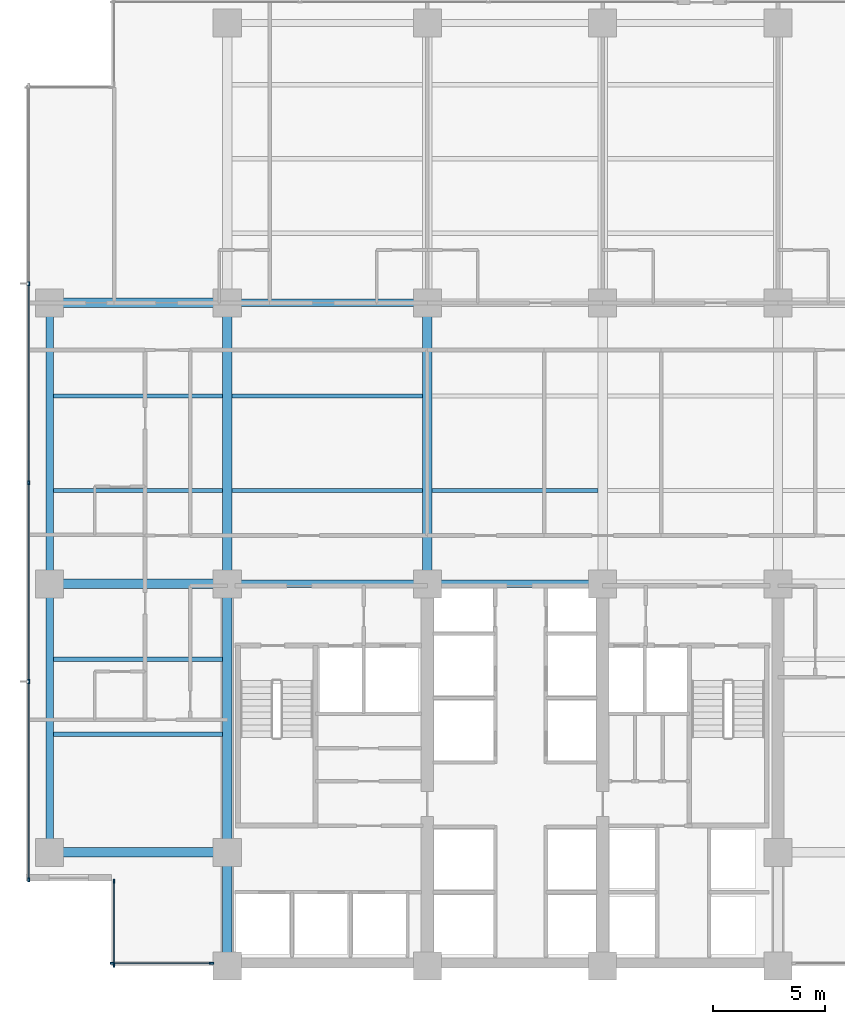
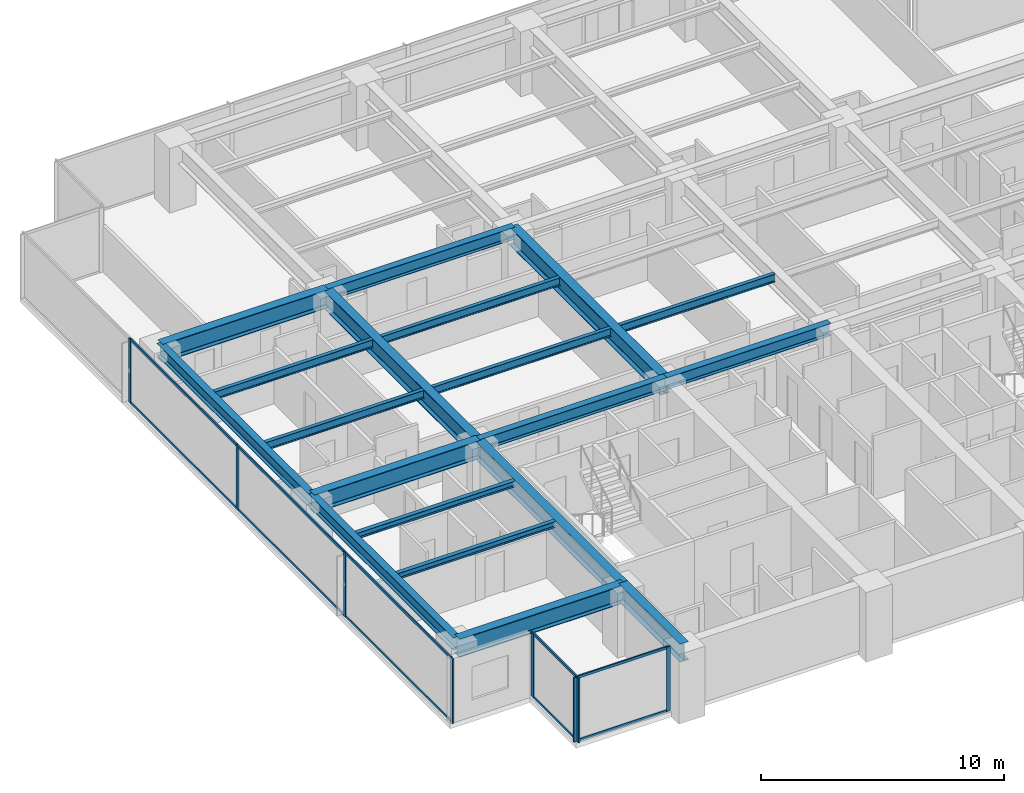
# One storey, part 2 of 17: 19 beams, 18 members, 3 elements without a shape of their own.
"""IFC4 building model written with IfcOpenShell, lengths in metres."""

import ifcopenshell
import ifcopenshell.guid

model = None  # the IFC model being written
_history = None  # IfcOwnerHistory: only IFC2X3 demands one
_inside = {}  # id of a spatial element -> (the spatial element, [elements in it])
_under = {}  # id of a project, library or spatial element -> (it, [spatial elements below it])
_declared = {}  # id of a project -> (the project, [libraries it declares])
_typed = {}  # id of a type object -> (the type object, [elements of that type])
_made_of = {}  # id of a material, layer set ... -> (it, [elements and type objects made of it])


def new_model(schema):
    """Start an empty IFC model of exactly this schema.

    Asked for "IFC4X3", IfcOpenShell would pick the latest addendum, in which some entities
    have other attributes; the version numbers below select the first issue.
    IFC2X3 requires an IfcOwnerHistory on every rooted entity: one is made here for all.
    """
    global model, _history
    if schema == "IFC4X3":
        model = ifcopenshell.file(schema_version=(4, 3, 0, 0))
    else:
        model = ifcopenshell.file(schema=schema)
    _inside.clear()
    _under.clear()
    _declared.clear()
    _typed.clear()
    _made_of.clear()
    _history = None
    if model.schema == "IFC2X3":
        org = make("IfcOrganization", Name="unknown")
        user = make(
            "IfcPersonAndOrganization",
            ThePerson=make("IfcPerson", FamilyName="unknown"),
            TheOrganization=org,
        )
        app = make(
            "IfcApplication",
            ApplicationDeveloper=org,
            Version="unknown",
            ApplicationFullName="unknown",
            ApplicationIdentifier="unknown",
        )
        _history = make(
            "IfcOwnerHistory",
            OwningUser=user,
            OwningApplication=app,
            ChangeAction="ADDED",
            CreationDate=0,
        )
    return model


def make(cls, **values):
    """One entity of the class cls with the attributes given. An attribute that is None is left unset."""
    return model.create_entity(
        cls, **{name: value for name, value in values.items() if value is not None}
    )


def rooted(cls, **values):
    """An entity with a GlobalId (a new one), such as an element, a storey or a relation."""
    return make(cls, GlobalId=ifcopenshell.guid.new(), OwnerHistory=_history, **values)


def si_unit(unit_type, name, prefix=None):
    """IfcSIUnit, for example si_unit("LENGTHUNIT", "METRE", prefix="MILLI")."""
    return make("IfcSIUnit", UnitType=unit_type, Prefix=prefix, Name=name)


def assignment(units):
    """IfcUnitAssignment: the units of a project."""
    return None if units is None else make("IfcUnitAssignment", Units=units)


def point(xyz):
    """IfcCartesianPoint."""
    return None if xyz is None else make("IfcCartesianPoint", Coordinates=xyz)


def direction(xyz):
    """IfcDirection."""
    return None if xyz is None else make("IfcDirection", DirectionRatios=xyz)


def frame(location, z_axis=None, x_axis=None):
    """IfcAxis2Placement3D, a coordinate frame: its origin and axes. An axis left out is left unset."""
    return make(
        "IfcAxis2Placement3D",
        Location=point(location),
        Axis=direction(z_axis),
        RefDirection=direction(x_axis),
    )


def frame_2d(location, x_axis=None):
    """IfcAxis2Placement2D, a coordinate frame in the plane: its origin and x axis."""
    return make(
        "IfcAxis2Placement2D", Location=point(location), RefDirection=direction(x_axis)
    )


def origin():
    """The frame at (0, 0, 0) with its axes left unset."""
    return frame((0.0, 0.0, 0.0))


def origin_2d():
    """The frame at (0, 0) in the plane with its x axis left unset."""
    return frame_2d((0.0, 0.0))


def place(relative_to, where):
    """IfcLocalPlacement: puts the frame where relative to a parent placement (None: the world)."""
    return make(
        "IfcLocalPlacement", PlacementRelTo=relative_to, RelativePlacement=where
    )


def context(
    kind, dimensions, precision=None, world=None, true_north=None, identifier=None
):
    """IfcGeometricRepresentationContext, for example the 3D "Model" context."""
    return make(
        "IfcGeometricRepresentationContext",
        ContextIdentifier=identifier,
        ContextType=kind,
        CoordinateSpaceDimension=dimensions,
        Precision=precision,
        WorldCoordinateSystem=world,
        TrueNorth=true_north,
    )


def subcontext(parent, identifier, kind, view, scale=None):
    """IfcGeometricRepresentationSubContext, for example "Body" below "Model"."""
    return make(
        "IfcGeometricRepresentationSubContext",
        ContextIdentifier=identifier,
        ContextType=kind,
        ParentContext=parent,
        TargetScale=scale,
        TargetView=view,
    )


def project(units=None, contexts=None):
    """IfcProject with its units and contexts."""
    return rooted(
        "IfcProject",
        Name="project",
        RepresentationContexts=contexts,
        UnitsInContext=assignment(units),
    )


def spatial(cls, under=None, at=None, **own):
    """A site, building, storey or space (cls), placed at a placement, below another one or the project."""
    s = rooted(cls, ObjectPlacement=at, **own)
    if under is not None:
        _under.setdefault(under.id(), (under, []))[1].append(s)
    return s


def profile(cls, at=None, kind="AREA", **sizes):
    """A parametric profile (cls). Its sizes go by their IFC names, for example OverallWidth=200.0."""
    return make(cls, ProfileType=kind, Position=at, **sizes)


def rectangle(**sizes):
    """IfcRectangleProfileDef."""
    return profile("IfcRectangleProfileDef", **sizes)


def i_section(**sizes):
    """IfcIShapeProfileDef."""
    return profile("IfcIShapeProfileDef", **sizes)


def extrude(swept, where, along, depth):
    """IfcExtrudedAreaSolid: the profile swept, set in the frame where, extruded along a direction by depth."""
    return make(
        "IfcExtrudedAreaSolid",
        SweptArea=swept,
        Position=where,
        ExtrudedDirection=direction(along),
        Depth=depth,
    )


def shape(context_of_items, identifier, shape_type, items):
    """IfcShapeRepresentation: the items that make up one representation, for example the "Body"."""
    return make(
        "IfcShapeRepresentation",
        ContextOfItems=context_of_items,
        RepresentationIdentifier=identifier,
        RepresentationType=shape_type,
        Items=items,
    )


def material(Name=None, Category=None):
    """IfcMaterial."""
    return make("IfcMaterial", Name=Name, Category=Category)


def layer(
    of_material, thickness, ventilated=None, Name=None, Category=None, Priority=None
):
    """IfcMaterialLayer: one layer of a wall or slab, of a material (None: an air gap)."""
    return make(
        "IfcMaterialLayer",
        Material=of_material,
        LayerThickness=thickness,
        IsVentilated=ventilated,
        Name=Name,
        Category=Category,
        Priority=Priority,
    )


def layer_set(layers, Name=None):
    """IfcMaterialLayerSet."""
    return make("IfcMaterialLayerSet", MaterialLayers=layers, LayerSetName=Name)


def material_profile(
    of_material, cross_section, Name=None, Category=None, Priority=None
):
    """IfcMaterialProfile: a cross section and its material."""
    return make(
        "IfcMaterialProfile",
        Name=Name,
        Material=of_material,
        Profile=cross_section,
        Priority=Priority,
        Category=Category,
    )


def profile_set(profiles, Name=None, composite=None):
    """IfcMaterialProfileSet."""
    return make(
        "IfcMaterialProfileSet",
        Name=Name,
        MaterialProfiles=profiles,
        CompositeProfile=composite,
    )


def made_of(thing, what):
    """Note that an element or type object is made of a material, layer set ...; save() writes the relation."""
    if what is not None:
        _made_of.setdefault(what.id(), (what, []))[1].append(thing)
    return thing


def type_object(cls, material=None, **own):
    """A type object (cls), such as IfcWallType, which elements share."""
    return made_of(rooted(cls, **own), material)


def element(
    cls,
    number,
    at=None,
    inside=None,
    cuts=None,
    type_object=None,
    material=None,
    context=None,
    identifier="Body",
    shape_type=None,
    held_by="IfcProductDefinitionShape",
    body=None,
    shapes=None,
    **own,
):
    """One element of the class cls, such as IfcWall. Its Tag is "e" and its number.

    at: its placement. inside: the storey or other place that contains it. cuts: it is an
    opening in that element (IfcRelVoidsElement). A single representation is given by context,
    identifier, shape_type and body (its items); several are given by shapes. held_by: the class
    of the entity that holds the representations. save() writes the other relations.
    """
    e = rooted(cls, Tag="e%d" % number, ObjectPlacement=at, **own)
    if body is not None:
        shapes = [shape(context, identifier, shape_type, body)]
    if shapes is not None:
        e.Representation = make(held_by, Representations=shapes)
    if inside is not None:
        _inside.setdefault(inside.id(), (inside, []))[1].append(e)
    if cuts is not None:
        rooted(
            "IfcRelVoidsElement", RelatingBuildingElement=cuts, RelatedOpeningElement=e
        )
    if type_object is not None:
        _typed.setdefault(type_object.id(), (type_object, []))[1].append(e)
    return made_of(e, material)


def aggregate(whole, parts):
    """IfcRelAggregates: a whole, such as a stair, and the parts it consists of."""
    return rooted("IfcRelAggregates", RelatingObject=whole, RelatedObjects=parts)


def save(model, path):
    """Write the relations noted so far, then the file.

    IfcRelAggregates (storeys below a building ...), IfcRelContainedInSpatialStructure (elements
    in a storey), IfcRelDefinesByType, IfcRelAssociatesMaterial and IfcRelDeclares: one each for
    every whole, place, type object, material and project.
    """
    for whole, parts in _under.values():
        aggregate(whole, parts)
    for where, things in _inside.values():
        rooted(
            "IfcRelContainedInSpatialStructure",
            RelatedElements=things,
            RelatingStructure=where,
        )
    for kind, things in _typed.values():
        rooted("IfcRelDefinesByType", RelatedObjects=things, RelatingType=kind)
    for what, things in _made_of.values():
        rooted("IfcRelAssociatesMaterial", RelatedObjects=things, RelatingMaterial=what)
    for by, libraries in _declared.values():
        rooted("IfcRelDeclares", RelatingContext=by, RelatedDefinitions=libraries)
    model.write(path)


model = new_model("IFC4")

# Units and contexts
model_context = context("Model", 3, precision=1e-05, world=origin(), true_north=direction((0.0, 1.0)))
body_context = subcontext(model_context, "Body", "Model", "MODEL_VIEW")
ifc_project = project(units=[si_unit("LENGTHUNIT", "METRE"), si_unit("AREAUNIT", "SQUARE_METRE"), si_unit("VOLUMEUNIT", "CUBIC_METRE"), si_unit("PLANEANGLEUNIT", "RADIAN"), si_unit("MASSUNIT", "GRAM", prefix="KILO")], contexts=[model_context])

# Site, building, storey
site_placement = place(None, origin())
site = spatial("IfcSite", under=ifc_project, at=site_placement, CompositionType="ELEMENT")
building_placement = place(site_placement, origin())
building = spatial("IfcBuilding", under=site, at=building_placement, Name="Qalmaran Belvedere Hotel", CompositionType="ELEMENT")
storey_placement = place(building_placement, frame((0.0, 0.0, 88.199951171875)))
storey = spatial("IfcBuildingStorey", under=building, at=storey_placement, Name="L21", CompositionType="ELEMENT", Elevation=88.199951171875)

# Beams
ifc_material_1 = material(Name="Steel S355JR", Category="steel")
ifc_material_profile_1 = material_profile(ifc_material_1, i_section(OverallWidth=0.202880859375, OverallDepth=0.302978515625, WebThickness=0.007568359375, FlangeThickness=0.01318359375, FilletRadius=0.012939453125, at=origin_2d()), Name="W310X60")
ifc_profile_set_1 = profile_set([ifc_material_profile_1], Name="Steel S355JR")
beam_type_1 = type_object("IfcBeamType", Name="BM-JST-W310X60", PredefinedType="JOIST", material=ifc_profile_set_1)
for number, where, z_axis, x_axis, name in (
    (1, (12.5615234375, 13.800048828125, 3.088623046875), (1.0, 0.0, 0.0), (0.0, 1.0, 0.0), "L21 West Wing Joist 038"),
    (2, (12.5615234375, 17.14990234375, 3.088623046875), (1.0, 0.0, 0.0), (0.0, 1.0, 0.0), "L21 West Wing Joist 040"),
):
    element("IfcBeam", number, at=place(storey_placement, frame(where, z_axis=z_axis, x_axis=x_axis)), inside=storey, type_object=beam_type_1, Name=name, PredefinedType="JOIST", context=body_context, shape_type="SweptSolid", body=[
        extrude(i_section(OverallWidth=0.202880859375, OverallDepth=0.302978515625, WebThickness=0.007568359375, FlangeThickness=0.01318359375, FilletRadius=0.012939453125, at=origin_2d()), origin(), (0.0, 0.0, 1.0), 7.531494140625),
    ])
ifc_material_profile_2 = material_profile(ifc_material_1, i_section(OverallWidth=0.41796875, OverallDepth=0.912109375, WebThickness=0.019287109375, FlangeThickness=0.031982421875, FilletRadius=0.02392578125, at=origin_2d()), Name="W920X342")
ifc_profile_set_2 = profile_set([ifc_material_profile_2], Name="Steel S355JR")
beam_type_2 = type_object("IfcBeamType", Name="BM-PG2-W920X342", PredefinedType="USERDEFINED", material=ifc_profile_set_2)
for number, where, z_axis, x_axis, name in (
    (3, (20.300048828125, 20.5, 2.783935546875), (0.0, 1.0, 0.0), (-1.0, 0.0, 0.0), "L21 Mid-Plate N-S Girder 14"),
    (4, (29.199951171875, 20.5, 2.783935546875), (0.0, 1.0, 0.0), (-1.0, 0.0, 0.0), "L21 Mid-Plate N-S Girder 16"),
):
    element("IfcBeam", number, at=place(storey_placement, frame(where, z_axis=z_axis, x_axis=x_axis)), inside=storey, type_object=beam_type_2, Name=name, ObjectType="GIRDER", PredefinedType="USERDEFINED", context=body_context, shape_type="SweptSolid", body=[
        extrude(i_section(OverallWidth=0.41796875, OverallDepth=0.912109375, WebThickness=0.019287109375, FlangeThickness=0.031982421875, FilletRadius=0.02392578125, at=origin_2d()), origin(), (0.0, 0.0, 1.0), 12.5),
    ])
for number, where, z_axis, x_axis, name in (
    (5, (12.39990234375, 8.550048828125, 2.783935546875), (1.0, 0.0, 0.0), (0.0, 1.0, 0.0), "L21 West Wing Girder 22"),
    (6, (12.39990234375, 20.5, 2.783935546875), (1.0, 0.0, 0.0), (0.0, 1.0, 0.0), "L21 West Wing Girder 23"),
    (7, (12.39990234375, 33.0, 2.783935546875), (1.0, 0.0, 0.0), (0.0, 1.0, 0.0), "L21 West Wing Girder 24"),
):
    element("IfcBeam", number, at=place(storey_placement, frame(where, z_axis=z_axis, x_axis=x_axis)), inside=storey, type_object=beam_type_2, Name=name, ObjectType="GIRDER", PredefinedType="USERDEFINED", context=body_context, shape_type="SweptSolid", body=[
        extrude(i_section(OverallWidth=0.41796875, OverallDepth=0.912109375, WebThickness=0.019287109375, FlangeThickness=0.031982421875, FilletRadius=0.02392578125, at=origin_2d()), origin(), (0.0, 0.0, 1.0), 7.900146484375),
    ])
beam_1_placement = place(storey_placement, frame((20.300048828125, 3.5, 2.783935546875), z_axis=(0.0, 1.0, 0.0), x_axis=(-1.0, 0.0, 0.0)))
element("IfcBeam", 8, at=beam_1_placement, inside=storey, type_object=beam_type_2, Name="L21 West Core Edge Girder A", ObjectType="GIRDER", PredefinedType="USERDEFINED", context=body_context, shape_type="SweptSolid", body=[
    extrude(i_section(OverallWidth=0.41796875, OverallDepth=0.912109375, WebThickness=0.019287109375, FlangeThickness=0.031982421875, FilletRadius=0.02392578125, at=origin_2d()), origin(), (0.0, 0.0, 1.0), 5.050048828125),
])
beam_2_placement = place(storey_placement, frame((20.300048828125, 8.550048828125, 2.783935546875), z_axis=(0.0, 1.0, 0.0), x_axis=(-1.0, 0.0, 0.0)))
element("IfcBeam", 9, at=beam_2_placement, inside=storey, type_object=beam_type_2, Name="L21 West Core Edge Girder B", ObjectType="GIRDER", PredefinedType="USERDEFINED", context=body_context, shape_type="SweptSolid", body=[
    extrude(i_section(OverallWidth=0.41796875, OverallDepth=0.912109375, WebThickness=0.019287109375, FlangeThickness=0.031982421875, FilletRadius=0.02392578125, at=origin_2d()), origin(), (0.0, 0.0, 1.0), 11.949951171875),
])
ifc_material_profile_3 = material_profile(ifc_material_1, i_section(OverallWidth=0.177978515625, OverallDepth=0.406982421875, WebThickness=0.0078125, FlangeThickness=0.0126953125, FilletRadius=0.014892578125, at=origin_2d()), Name="W410X60")
ifc_profile_set_3 = profile_set([ifc_material_profile_3], Name="Steel S355JR")
beam_type_3 = type_object("IfcBeamType", Name="BM-SB2-W410X60", PredefinedType="BEAM", material=ifc_profile_set_3)
beam_3_placement = place(storey_placement, frame((12.5615234375, 24.64990234375, 3.03662109375), z_axis=(1.0, 0.0, 0.0), x_axis=(0.0, 1.0, 0.0)))
element("IfcBeam", 10, at=beam_3_placement, inside=storey, type_object=beam_type_3, Name="L21 West Secondary Beam 028", PredefinedType="BEAM", context=body_context, shape_type="SweptSolid", body=[
    extrude(i_section(OverallWidth=0.177978515625, OverallDepth=0.406982421875, WebThickness=0.0078125, FlangeThickness=0.0126953125, FilletRadius=0.014892578125, at=origin_2d()), origin(), (0.0, 0.0, 1.0), 7.531494140625),
])
beam_4_placement = place(storey_placement, frame((20.507080078125, 24.64990234375, 3.03662109375), z_axis=(1.0, 0.0, 0.0), x_axis=(0.0, 1.0, 0.0)))
element("IfcBeam", 11, at=beam_4_placement, inside=storey, type_object=beam_type_3, Name="L21 Secondary Floor Beam 029", PredefinedType="BEAM", context=body_context, shape_type="SweptSolid", body=[
    extrude(i_section(OverallWidth=0.177978515625, OverallDepth=0.406982421875, WebThickness=0.0078125, FlangeThickness=0.0126953125, FilletRadius=0.014892578125, at=origin_2d()), origin(), (0.0, 0.0, 1.0), 8.48583984375),
])
beam_5_placement = place(storey_placement, frame((29.406982421875, 24.64990234375, 3.03662109375), z_axis=(1.0, 0.0, 0.0), x_axis=(0.0, 1.0, 0.0)))
element("IfcBeam", 12, at=beam_5_placement, inside=storey, type_object=beam_type_3, Name="L21 Secondary Floor Beam 030", PredefinedType="BEAM", context=body_context, shape_type="SweptSolid", body=[
    extrude(i_section(OverallWidth=0.177978515625, OverallDepth=0.406982421875, WebThickness=0.0078125, FlangeThickness=0.0126953125, FilletRadius=0.014892578125, at=origin_2d()), origin(), (0.0, 0.0, 1.0), 7.385986328125),
])
beam_6_placement = place(storey_placement, frame((12.5615234375, 28.85009765625, 3.03662109375), z_axis=(1.0, 0.0, 0.0), x_axis=(0.0, 1.0, 0.0)))
element("IfcBeam", 13, at=beam_6_placement, inside=storey, type_object=beam_type_3, Name="L21 West Secondary Beam 033", PredefinedType="BEAM", context=body_context, shape_type="SweptSolid", body=[
    extrude(i_section(OverallWidth=0.177978515625, OverallDepth=0.406982421875, WebThickness=0.0078125, FlangeThickness=0.0126953125, FilletRadius=0.014892578125, at=origin_2d()), origin(), (0.0, 0.0, 1.0), 7.531494140625),
])
beam_7_placement = place(storey_placement, frame((20.507080078125, 28.85009765625, 3.03662109375), z_axis=(1.0, 0.0, 0.0), x_axis=(0.0, 1.0, 0.0)))
element("IfcBeam", 14, at=beam_7_placement, inside=storey, type_object=beam_type_3, Name="L21 Secondary Floor Beam 034", PredefinedType="BEAM", context=body_context, shape_type="SweptSolid", body=[
    extrude(i_section(OverallWidth=0.177978515625, OverallDepth=0.406982421875, WebThickness=0.0078125, FlangeThickness=0.0126953125, FilletRadius=0.014892578125, at=origin_2d()), origin(), (0.0, 0.0, 1.0), 8.48583984375),
])
ifc_material_profile_4 = material_profile(ifc_material_1, i_section(OverallWidth=0.326904296875, OverallDepth=0.6220703125, WebThickness=0.015380859375, FlangeThickness=0.0244140625, FilletRadius=0.02001953125, at=origin_2d()), Name="W610X195")
ifc_profile_set_4 = profile_set([ifc_material_profile_4], Name="Steel S355JR")
beam_type_4 = type_object("IfcBeamType", Name="BM-SP1-W610X195", PredefinedType="SPANDREL", material=ifc_profile_set_4)
beam_8_placement = place(storey_placement, frame((12.39990234375, 8.550048828125, 2.928955078125), z_axis=(0.0, 1.0, 0.0), x_axis=(-1.0, 0.0, 0.0)))
element("IfcBeam", 15, at=beam_8_placement, inside=storey, type_object=beam_type_4, Name="L21 Perimeter Spandrel 01", PredefinedType="SPANDREL", context=body_context, shape_type="SweptSolid", body=[
    extrude(i_section(OverallWidth=0.326904296875, OverallDepth=0.6220703125, WebThickness=0.015380859375, FlangeThickness=0.0244140625, FilletRadius=0.02001953125, at=origin_2d()), origin(), (0.0, 0.0, 1.0), 11.949951171875),
])
beam_9_placement = place(storey_placement, frame((12.39990234375, 20.5, 2.928955078125), z_axis=(0.0, 1.0, 0.0), x_axis=(-1.0, 0.0, 0.0)))
element("IfcBeam", 16, at=beam_9_placement, inside=storey, type_object=beam_type_4, Name="L21 Perimeter Spandrel 02", PredefinedType="SPANDREL", context=body_context, shape_type="SweptSolid", body=[
    extrude(i_section(OverallWidth=0.326904296875, OverallDepth=0.6220703125, WebThickness=0.015380859375, FlangeThickness=0.0244140625, FilletRadius=0.02001953125, at=origin_2d()), origin(), (0.0, 0.0, 1.0), 12.5),
])
ifc_material_profile_5 = material_profile(ifc_material_1, i_section(OverallWidth=0.323974609375, OverallDepth=0.611083984375, WebThickness=0.0126953125, FlangeThickness=0.01904296875, FilletRadius=0.02001953125, at=origin_2d()), Name="W610X155")
ifc_profile_set_5 = profile_set([ifc_material_profile_5], Name="Steel S355JR")
beam_type_5 = type_object("IfcBeamType", Name="BM-Z2-W610X155", PredefinedType="USERDEFINED", material=ifc_profile_set_5)
beam_10_placement = place(storey_placement, frame((20.300048828125, 20.5, 2.9345703125), z_axis=(1.0, 0.0, 0.0), x_axis=(0.0, 1.0, 0.0)))
element("IfcBeam", 17, at=beam_10_placement, inside=storey, type_object=beam_type_5, Name="L21 Interior E-W Girder 08", ObjectType="GIRDER", PredefinedType="USERDEFINED", context=body_context, shape_type="SweptSolid", body=[
    extrude(i_section(OverallWidth=0.323974609375, OverallDepth=0.611083984375, WebThickness=0.0126953125, FlangeThickness=0.01904296875, FilletRadius=0.02001953125, at=origin_2d()), origin(), (0.0, 0.0, 1.0), 8.89990234375),
])
beam_11_placement = place(storey_placement, frame((29.199951171875, 20.5, 2.9345703125), z_axis=(1.0, 0.0, 0.0), x_axis=(0.0, 1.0, 0.0)))
element("IfcBeam", 18, at=beam_11_placement, inside=storey, type_object=beam_type_5, Name="L21 Interior E-W Girder 09", ObjectType="GIRDER", PredefinedType="USERDEFINED", context=body_context, shape_type="SweptSolid", body=[
    extrude(i_section(OverallWidth=0.323974609375, OverallDepth=0.611083984375, WebThickness=0.0126953125, FlangeThickness=0.01904296875, FilletRadius=0.02001953125, at=origin_2d()), origin(), (0.0, 0.0, 1.0), 7.800048828125),
])
beam_12_placement = place(storey_placement, frame((20.300048828125, 33.0, 2.9345703125), z_axis=(1.0, 0.0, 0.0), x_axis=(0.0, 1.0, 0.0)))
element("IfcBeam", 19, at=beam_12_placement, inside=storey, type_object=beam_type_5, Name="L21 Interior E-W Girder 11", ObjectType="GIRDER", PredefinedType="USERDEFINED", context=body_context, shape_type="SweptSolid", body=[
    extrude(i_section(OverallWidth=0.323974609375, OverallDepth=0.611083984375, WebThickness=0.0126953125, FlangeThickness=0.01904296875, FilletRadius=0.02001953125, at=origin_2d()), origin(), (0.0, 0.0, 1.0), 8.89990234375),
])

# Curtain wall, members
ifc_material_2 = material(Name="Anodised Bronze Aluminium", Category="aluminium")
ifc_layer = layer(ifc_material_2, 0.199951171875, Name="Anodised Bronze Aluminium")
ifc_layer_set = layer_set([ifc_layer], Name="Anodised Bronze Aluminium")
curtain_wall_type = type_object("IfcCurtainWallType", Name="CW3-TOWER-LOWMID", PredefinedType="NOTDEFINED", material=ifc_layer_set)
curtain_wall_1_placement = place(storey_placement, origin())
curtain_wall_1 = element("IfcCurtainWall", 20, at=curtain_wall_1_placement, inside=storey, type_object=curtain_wall_type, Name="L21 Curtain Wall CW3", PredefinedType="NOTDEFINED")
ifc_material_profile_6 = material_profile(ifc_material_2, rectangle(XDim=0.070068359375, YDim=0.18994140625, at=origin_2d()), Name="CWM70X190")
ifc_profile_set_6 = profile_set([ifc_material_profile_6], Name="Anodised Bronze Aluminium")
member_type_1 = type_object("IfcMemberType", Name="CWM-70X190", PredefinedType="MULLION", material=ifc_profile_set_6)
member_1_placement = place(storey_placement, frame((15.18505859375, 3.6201171875, 0.0), z_axis=(0.0, 0.0, 1.0), x_axis=(0.0, 1.0, 0.0)))
member_1 = element("IfcMember", 21, at=member_1_placement, type_object=member_type_1, Name="CW3 mullion 1", PredefinedType="MULLION", context=body_context, shape_type="SweptSolid", body=[
    extrude(rectangle(XDim=0.070068359375, YDim=0.18994140625, at=origin_2d()), origin(), (0.0, 0.0, 1.0), 3.239990234375),
])
member_2_placement = place(storey_placement, frame((19.60009765625, 3.6201171875, 0.0), z_axis=(0.0, 0.0, 1.0), x_axis=(0.0, 1.0, 0.0)))
member_2 = element("IfcMember", 22, at=member_2_placement, type_object=member_type_1, Name="CW3 mullion 2", PredefinedType="MULLION", context=body_context, shape_type="SweptSolid", body=[
    extrude(rectangle(XDim=0.070068359375, YDim=0.18994140625, at=origin_2d()), origin(), (0.0, 0.0, 1.0), 3.239990234375),
])

curtain_wall_2_placement = place(storey_placement, origin())
curtain_wall_2 = element("IfcCurtainWall", 23, at=curtain_wall_2_placement, inside=storey, type_object=curtain_wall_type, Name="L21 Curtain Wall CW3", PredefinedType="NOTDEFINED")
member_3_placement = place(storey_placement, frame((11.469970703125, 33.85009765625, 0.0), z_axis=(0.0, 0.0, 1.0), x_axis=(1.0, 0.0, 0.0)))
member_3 = element("IfcMember", 24, at=member_3_placement, type_object=member_type_1, Name="CW3 mullion 2", PredefinedType="MULLION", context=body_context, shape_type="SweptSolid", body=[
    extrude(rectangle(XDim=0.070068359375, YDim=0.18994140625, at=origin_2d()), origin(), (0.0, 0.0, 1.0), 3.239990234375),
])
member_4_placement = place(storey_placement, frame((11.469970703125, 25.0, 0.0), z_axis=(0.0, 0.0, 1.0), x_axis=(1.0, 0.0, 0.0)))
member_4 = element("IfcMember", 25, at=member_4_placement, type_object=member_type_1, Name="CW3 mullion 3", PredefinedType="MULLION", context=body_context, shape_type="SweptSolid", body=[
    extrude(rectangle(XDim=0.070068359375, YDim=0.18994140625, at=origin_2d()), origin(), (0.0, 0.0, 1.0), 3.239990234375),
])
member_5_placement = place(storey_placement, frame((11.469970703125, 16.14990234375, 0.0), z_axis=(0.0, 0.0, 1.0), x_axis=(1.0, 0.0, 0.0)))
member_5 = element("IfcMember", 26, at=member_5_placement, type_object=member_type_1, Name="CW3 mullion 4", PredefinedType="MULLION", context=body_context, shape_type="SweptSolid", body=[
    extrude(rectangle(XDim=0.070068359375, YDim=0.18994140625, at=origin_2d()), origin(), (0.0, 0.0, 1.0), 3.239990234375),
])
member_6_placement = place(storey_placement, frame((11.469970703125, 7.3349609375, 0.0), z_axis=(0.0, 0.0, 1.0), x_axis=(1.0, 0.0, 0.0)))
member_6 = element("IfcMember", 27, at=member_6_placement, type_object=member_type_1, Name="CW3 mullion 5", PredefinedType="MULLION", context=body_context, shape_type="SweptSolid", body=[
    extrude(rectangle(XDim=0.070068359375, YDim=0.18994140625, at=origin_2d()), origin(), (0.0, 0.0, 1.0), 3.239990234375),
])

curtain_wall_3_placement = place(storey_placement, origin())
curtain_wall_3 = element("IfcCurtainWall", 28, at=curtain_wall_3_placement, inside=storey, type_object=curtain_wall_type, Name="L21 Curtain Wall CW3", PredefinedType="NOTDEFINED")
member_7_placement = place(storey_placement, frame((15.27001953125, 7.264892578125, 0.0), z_axis=(0.0, 0.0, 1.0), x_axis=(1.0, 0.0, 0.0)))
member_7 = element("IfcMember", 29, at=member_7_placement, type_object=member_type_1, Name="CW3 mullion 1", PredefinedType="MULLION", context=body_context, shape_type="SweptSolid", body=[
    extrude(rectangle(XDim=0.070068359375, YDim=0.18994140625, at=origin_2d()), origin(), (0.0, 0.0, 1.0), 3.239990234375),
])
member_8_placement = place(storey_placement, frame((15.27001953125, 3.534912109375, 0.0), z_axis=(0.0, 0.0, 1.0), x_axis=(1.0, 0.0, 0.0)))
member_8 = element("IfcMember", 30, at=member_8_placement, type_object=member_type_1, Name="CW3 mullion 2", PredefinedType="MULLION", context=body_context, shape_type="SweptSolid", body=[
    extrude(rectangle(XDim=0.070068359375, YDim=0.18994140625, at=origin_2d()), origin(), (0.0, 0.0, 1.0), 3.239990234375),
])

# Member
ifc_material_profile_7 = material_profile(ifc_material_2, rectangle(XDim=0.06494140625, YDim=0.1298828125, at=origin_2d()), Name="CWT65X130")
ifc_profile_set_7 = profile_set([ifc_material_profile_7], Name="Anodised Bronze Aluminium")
member_type_2 = type_object("IfcMemberType", Name="CWT-65X130", PredefinedType="USERDEFINED", material=ifc_profile_set_7)
member_9_placement = place(storey_placement, frame((15.219970703125, 3.6201171875, 0.032470703125), z_axis=(1.0, 0.0, 0.0), x_axis=(0.0, 1.0, 0.0)))
member_9 = element("IfcMember", 31, at=member_9_placement, type_object=member_type_2, Name="CW3 transom 1.1", ObjectType="TRANSOM", PredefinedType="USERDEFINED", context=body_context, shape_type="SweptSolid", body=[
    extrude(rectangle(XDim=0.06494140625, YDim=0.1298828125, at=origin_2d()), origin(), (0.0, 0.0, 1.0), 4.344970703125),
])

member_10_placement = place(storey_placement, frame((15.219970703125, 3.6201171875, 3.20751953125), z_axis=(1.0, 0.0, 0.0), x_axis=(0.0, 1.0, 0.0)))
member_10 = element("IfcMember", 32, at=member_10_placement, type_object=member_type_2, Name="CW3 transom 1.2", ObjectType="TRANSOM", PredefinedType="USERDEFINED", context=body_context, shape_type="SweptSolid", body=[
    extrude(rectangle(XDim=0.06494140625, YDim=0.1298828125, at=origin_2d()), origin(), (0.0, 0.0, 1.0), 4.344970703125),
])

aggregate(curtain_wall_1, [member_1, member_2, member_9, member_10])

member_11_placement = place(storey_placement, frame((11.469970703125, 33.81494140625, 0.032470703125), z_axis=(0.0, -1.0, 0.0), x_axis=(1.0, 0.0, 0.0)))
member_11 = element("IfcMember", 33, at=member_11_placement, type_object=member_type_2, Name="CW3 transom 2.1", ObjectType="TRANSOM", PredefinedType="USERDEFINED", context=body_context, shape_type="SweptSolid", body=[
    extrude(rectangle(XDim=0.06494140625, YDim=0.1298828125, at=origin_2d()), origin(), (0.0, 0.0, 1.0), 8.780029296875),
])

member_12_placement = place(storey_placement, frame((11.469970703125, 33.81494140625, 3.20751953125), z_axis=(0.0, -1.0, 0.0), x_axis=(1.0, 0.0, 0.0)))
member_12 = element("IfcMember", 34, at=member_12_placement, type_object=member_type_2, Name="CW3 transom 2.2", ObjectType="TRANSOM", PredefinedType="USERDEFINED", context=body_context, shape_type="SweptSolid", body=[
    extrude(rectangle(XDim=0.06494140625, YDim=0.1298828125, at=origin_2d()), origin(), (0.0, 0.0, 1.0), 8.780029296875),
])

member_13_placement = place(storey_placement, frame((11.469970703125, 24.965087890625, 0.032470703125), z_axis=(0.0, -1.0, 0.0), x_axis=(1.0, 0.0, 0.0)))
member_13 = element("IfcMember", 35, at=member_13_placement, type_object=member_type_2, Name="CW3 transom 3.1", ObjectType="TRANSOM", PredefinedType="USERDEFINED", context=body_context, shape_type="SweptSolid", body=[
    extrude(rectangle(XDim=0.06494140625, YDim=0.1298828125, at=origin_2d()), origin(), (0.0, 0.0, 1.0), 8.780029296875),
])

member_14_placement = place(storey_placement, frame((11.469970703125, 24.965087890625, 3.20751953125), z_axis=(0.0, -1.0, 0.0), x_axis=(1.0, 0.0, 0.0)))
member_14 = element("IfcMember", 36, at=member_14_placement, type_object=member_type_2, Name="CW3 transom 3.2", ObjectType="TRANSOM", PredefinedType="USERDEFINED", context=body_context, shape_type="SweptSolid", body=[
    extrude(rectangle(XDim=0.06494140625, YDim=0.1298828125, at=origin_2d()), origin(), (0.0, 0.0, 1.0), 8.780029296875),
])

member_15_placement = place(storey_placement, frame((11.469970703125, 16.114990234375, 0.032470703125), z_axis=(0.0, -1.0, 0.0), x_axis=(1.0, 0.0, 0.0)))
member_15 = element("IfcMember", 37, at=member_15_placement, type_object=member_type_2, Name="CW3 transom 4.1", ObjectType="TRANSOM", PredefinedType="USERDEFINED", context=body_context, shape_type="SweptSolid", body=[
    extrude(rectangle(XDim=0.06494140625, YDim=0.1298828125, at=origin_2d()), origin(), (0.0, 0.0, 1.0), 8.744873046875),
])

member_16_placement = place(storey_placement, frame((11.469970703125, 16.114990234375, 3.20751953125), z_axis=(0.0, -1.0, 0.0), x_axis=(1.0, 0.0, 0.0)))
member_16 = element("IfcMember", 38, at=member_16_placement, type_object=member_type_2, Name="CW3 transom 4.2", ObjectType="TRANSOM", PredefinedType="USERDEFINED", context=body_context, shape_type="SweptSolid", body=[
    extrude(rectangle(XDim=0.06494140625, YDim=0.1298828125, at=origin_2d()), origin(), (0.0, 0.0, 1.0), 8.744873046875),
])

aggregate(curtain_wall_2, [member_3, member_4, member_5, member_6, member_11, member_12, member_13, member_14, member_15, member_16])

member_17_placement = place(storey_placement, frame((15.27001953125, 7.22998046875, 0.032470703125), z_axis=(0.0, -1.0, 0.0), x_axis=(1.0, 0.0, 0.0)))
member_17 = element("IfcMember", 39, at=member_17_placement, type_object=member_type_2, Name="CW3 transom 1.1", ObjectType="TRANSOM", PredefinedType="USERDEFINED", context=body_context, shape_type="SweptSolid", body=[
    extrude(rectangle(XDim=0.06494140625, YDim=0.1298828125, at=origin_2d()), origin(), (0.0, 0.0, 1.0), 3.659912109375),
])

member_18_placement = place(storey_placement, frame((15.27001953125, 7.22998046875, 3.20751953125), z_axis=(0.0, -1.0, 0.0), x_axis=(1.0, 0.0, 0.0)))
member_18 = element("IfcMember", 40, at=member_18_placement, type_object=member_type_2, Name="CW3 transom 1.2", ObjectType="TRANSOM", PredefinedType="USERDEFINED", context=body_context, shape_type="SweptSolid", body=[
    extrude(rectangle(XDim=0.06494140625, YDim=0.1298828125, at=origin_2d()), origin(), (0.0, 0.0, 1.0), 3.659912109375),
])

aggregate(curtain_wall_3, [member_7, member_8, member_17, member_18])

save(model, "model.ifc")
